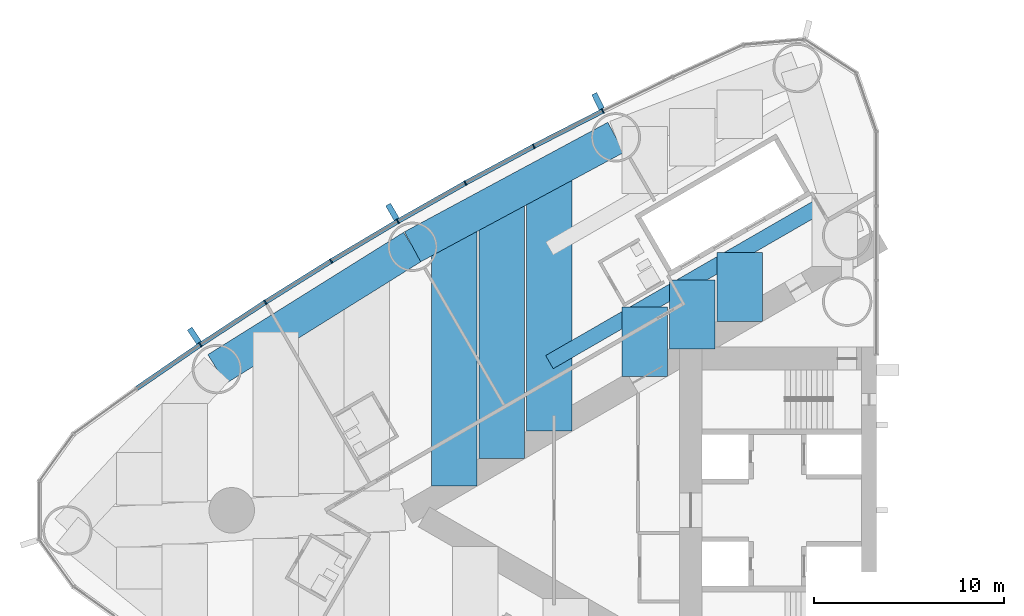
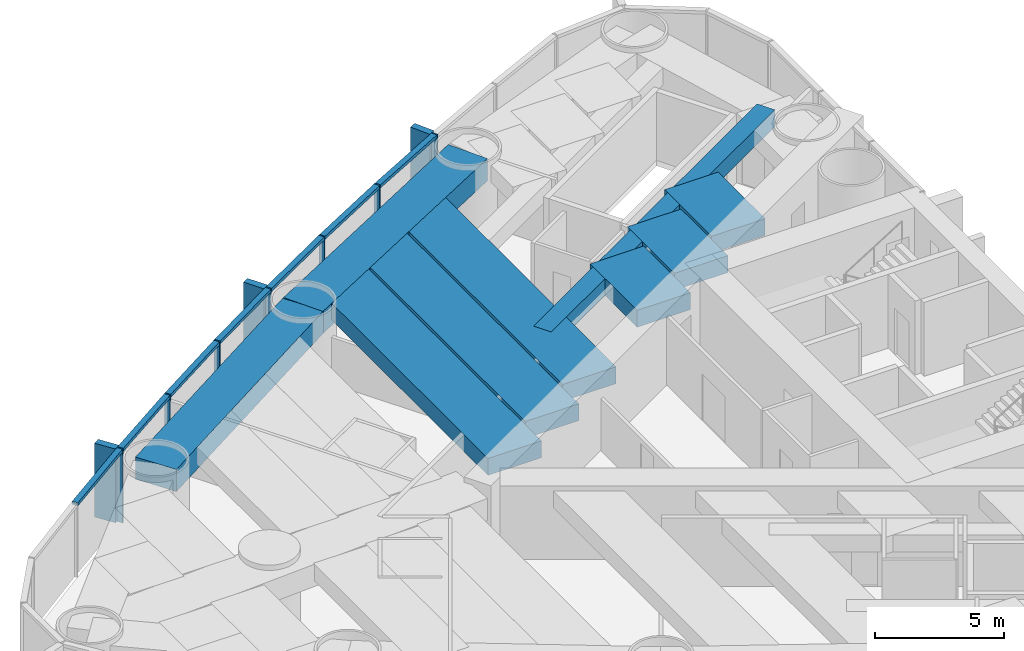
# One storey, part 4 of 19: 17 members, 9 beams, 1 element without a shape of its own.
"""IFC4 building model written with IfcOpenShell, lengths in metres."""

from ifc_helpers import new_model, si_unit, direction, frame, origin, origin_2d, place, context, subcontext, project, spatial, rectangle, hollow_rectangle, extrude, material, material_profile, profile_set, type_object, element, aggregate, save


model = new_model("IFC4")

# Units and contexts
model_context = context("Model", 3, precision=1e-05, world=origin(), true_north=direction((0.0, 1.0)))
body_context = subcontext(model_context, "Body", "Model", "MODEL_VIEW")
ifc_project = project(units=[si_unit("LENGTHUNIT", "METRE"), si_unit("AREAUNIT", "SQUARE_METRE"), si_unit("VOLUMEUNIT", "CUBIC_METRE"), si_unit("PLANEANGLEUNIT", "RADIAN"), si_unit("MASSUNIT", "GRAM", prefix="KILO")], contexts=[model_context])

# Site, building, storey
site_placement = place(None, origin())
site = spatial("IfcSite", under=ifc_project, at=site_placement, CompositionType="ELEMENT")
building_placement = place(site_placement, origin())
building = spatial("IfcBuilding", under=site, at=building_placement, Name="Lancet Gate Hotel", CompositionType="ELEMENT")
storey_placement = place(building_placement, frame((0.0, 0.0, 132.60009765625)))
storey = spatial("IfcBuildingStorey", under=building, at=storey_placement, Name="L35", CompositionType="ELEMENT", Elevation=132.60009765625)

# Curtain wall, members
ifc_material_1 = material(Name="Aluminium curtain wall", Category="aluminium")
curtain_wall_type = type_object("IfcCurtainWallType", Name="Tower unitised curtain wall", PredefinedType="USERDEFINED", material=ifc_material_1)
curtain_wall_placement = place(storey_placement, origin())
curtain_wall = element("IfcCurtainWall", 1, at=curtain_wall_placement, inside=storey, type_object=curtain_wall_type, Name="T1 L35 curtain wall 1", ObjectType="UNITISED CURTAIN WALL", PredefinedType="USERDEFINED")
ifc_material_2 = material(Name="Aluminium mullion", Category="aluminium")
ifc_material_profile_1 = material_profile(ifc_material_2, rectangle(XDim=0.06494140625, YDim=0.25, at=origin_2d()), Name="MULLION 65x250")
ifc_profile_set_1 = profile_set([ifc_material_profile_1], Name="Aluminium mullion")
member_type_1 = type_object("IfcMemberType", Name="Aluminium mullion 65x250", PredefinedType="MULLION", material=ifc_profile_set_1)
member_1_placement = place(storey_placement, frame((-41.935302734375, 21.053466796875, 0.0), z_axis=(0.0, 0.0, 1.0), x_axis=(-0.895339445458, -0.445384415317, 0.0)))
member_1 = element("IfcMember", 2, at=member_1_placement, type_object=member_type_1, Name="T1 L35 curtain wall 1 mullion 9", PredefinedType="MULLION", context=body_context, shape_type="SweptSolid", body=[
    extrude(rectangle(XDim=0.06494140625, YDim=0.25, at=origin_2d()), origin(), (0.0, 0.0, 1.0), 3.5),
])
member_2_placement = place(storey_placement, frame((-45.578857421875, 19.19189453125, 0.0), z_axis=(0.0, 0.0, 1.0), x_axis=(-0.885544335517, -0.46455487279, 0.0)))
member_2 = element("IfcMember", 3, at=member_2_placement, type_object=member_type_1, Name="T1 L35 curtain wall 1 mullion 10", PredefinedType="MULLION", context=body_context, shape_type="SweptSolid", body=[
    extrude(rectangle(XDim=0.06494140625, YDim=0.25, at=origin_2d()), origin(), (0.0, 0.0, 1.0), 3.5),
])
member_3_placement = place(storey_placement, frame((-49.181640625, 17.252197265625, 0.0), z_axis=(0.0, 0.0, 1.0), x_axis=(-0.875338819507, -0.48351003202, 0.0)))
member_3 = element("IfcMember", 4, at=member_3_placement, type_object=member_type_1, Name="T1 L35 curtain wall 1 mullion 11", PredefinedType="MULLION", context=body_context, shape_type="SweptSolid", body=[
    extrude(rectangle(XDim=0.06494140625, YDim=0.25, at=origin_2d()), origin(), (0.0, 0.0, 1.0), 3.5),
])
member_4_placement = place(storey_placement, frame((-52.74169921875, 15.2353515625, 0.0), z_axis=(0.0, 0.0, 1.0), x_axis=(-0.86472762718, -0.502241108226, 0.0)))
member_4 = element("IfcMember", 5, at=member_4_placement, type_object=member_type_1, Name="T1 L35 curtain wall 1 mullion 12", PredefinedType="MULLION", context=body_context, shape_type="SweptSolid", body=[
    extrude(rectangle(XDim=0.06494140625, YDim=0.25, at=origin_2d()), origin(), (0.0, 0.0, 1.0), 3.5),
])
member_5_placement = place(storey_placement, frame((-56.257568359375, 13.142333984375, 0.0), z_axis=(0.0, 0.0, 1.0), x_axis=(-0.853715676299, -0.52073942048, 0.0)))
member_5 = element("IfcMember", 6, at=member_5_placement, type_object=member_type_1, Name="T1 L35 curtain wall 1 mullion 13", PredefinedType="MULLION", context=body_context, shape_type="SweptSolid", body=[
    extrude(rectangle(XDim=0.06494140625, YDim=0.25, at=origin_2d()), origin(), (0.0, 0.0, 1.0), 3.5),
])
member_6_placement = place(storey_placement, frame((-59.7275390625, 10.974365234375, 0.0), z_axis=(0.0, 0.0, 1.0), x_axis=(-0.84230807036, -0.538996395727, 0.0)))
member_6 = element("IfcMember", 7, at=member_6_placement, type_object=member_type_1, Name="T1 L35 curtain wall 1 mullion 14", PredefinedType="MULLION", context=body_context, shape_type="SweptSolid", body=[
    extrude(rectangle(XDim=0.06494140625, YDim=0.25, at=origin_2d()), origin(), (0.0, 0.0, 1.0), 3.5),
])
member_7_placement = place(storey_placement, frame((-63.14990234375, 8.73193359375, 0.0), z_axis=(0.0, 0.0, 1.0), x_axis=(-0.830510096234, -0.557003572747, 0.0)))
member_7 = element("IfcMember", 8, at=member_7_placement, type_object=member_type_1, Name="T1 L35 curtain wall 1 mullion 15", PredefinedType="MULLION", context=body_context, shape_type="SweptSolid", body=[
    extrude(rectangle(XDim=0.06494140625, YDim=0.25, at=origin_2d()), origin(), (0.0, 0.0, 1.0), 3.5),
])
ifc_material_3 = material(Name="Aluminium transom", Category="aluminium")
ifc_material_profile_2 = material_profile(ifc_material_3, rectangle(XDim=0.25, YDim=0.14990234375, at=origin_2d()), Name="TRANSOM 250x150")
ifc_profile_set_2 = profile_set([ifc_material_profile_2], Name="Aluminium transom")
member_type_2 = type_object("IfcMemberType", Name="Aluminium transom 250x150", PredefinedType="USERDEFINED", material=ifc_profile_set_2)
member_8_placement = place(storey_placement, frame((-41.96435546875, 21.038818359375, 3.4248046875), z_axis=(-0.89047617483, -0.455029869415, 0.0), x_axis=(0.455029869415, -0.89047617483, 0.0)))
member_8 = element("IfcMember", 9, at=member_8_placement, type_object=member_type_2, Name="T1 L35 curtain wall 1 transom 9", ObjectType="TRANSOM", PredefinedType="USERDEFINED", context=body_context, shape_type="SweptSolid", body=[
    extrude(rectangle(XDim=0.25, YDim=0.14990234375, at=origin_2d()), origin(), (0.0, 0.0, 1.0), 4.026611328125),
])
member_9_placement = place(storey_placement, frame((-45.607421875, 19.176513671875, 3.4248046875), z_axis=(-0.880498353192, -0.474049206335, 0.0), x_axis=(0.474049206335, -0.880498353192, 0.0)))
member_9 = element("IfcMember", 10, at=member_9_placement, type_object=member_type_2, Name="T1 L35 curtain wall 1 transom 10", ObjectType="TRANSOM", PredefinedType="USERDEFINED", context=body_context, shape_type="SweptSolid", body=[
    extrude(rectangle(XDim=0.25, YDim=0.14990234375, at=origin_2d()), origin(), (0.0, 0.0, 1.0), 4.02685546875),
])
member_10_placement = place(storey_placement, frame((-49.2099609375, 17.236083984375, 3.4248046875), z_axis=(-0.870091531013, -0.492890178091, 0.0), x_axis=(0.492890178091, -0.870091531013, 0.0)))
member_10 = element("IfcMember", 11, at=member_10_placement, type_object=member_type_2, Name="T1 L35 curtain wall 1 transom 11", ObjectType="TRANSOM", PredefinedType="USERDEFINED", context=body_context, shape_type="SweptSolid", body=[
    extrude(rectangle(XDim=0.25, YDim=0.14990234375, at=origin_2d()), origin(), (0.0, 0.0, 1.0), 4.026611328125),
])
member_11_placement = place(storey_placement, frame((-52.76953125, 15.21875, 3.4248046875), z_axis=(-0.859285270342, -0.511496651186, 0.0), x_axis=(0.511496651186, -0.859285270342, 0.0)))
member_11 = element("IfcMember", 12, at=member_11_placement, type_object=member_type_2, Name="T1 L35 curtain wall 1 transom 12", ObjectType="TRANSOM", PredefinedType="USERDEFINED", context=body_context, shape_type="SweptSolid", body=[
    extrude(rectangle(XDim=0.25, YDim=0.14990234375, at=origin_2d()), origin(), (0.0, 0.0, 1.0), 4.026611328125),
])
member_12_placement = place(storey_placement, frame((-56.28515625, 13.125244140625, 3.4248046875), z_axis=(-0.848049393821, -0.529917187531, 0.0), x_axis=(0.529917187531, -0.848049393821, 0.0)))
member_12 = element("IfcMember", 13, at=member_12_placement, type_object=member_type_2, Name="T1 L35 curtain wall 1 transom 13", ObjectType="TRANSOM", PredefinedType="USERDEFINED", context=body_context, shape_type="SweptSolid", body=[
    extrude(rectangle(XDim=0.25, YDim=0.14990234375, at=origin_2d()), origin(), (0.0, 0.0, 1.0), 4.026611328125),
])
member_13_placement = place(storey_placement, frame((-59.754638671875, 10.95654296875, 3.4248046875), z_axis=(-0.83645442085, -0.548036496815, 0.0), x_axis=(0.548036496815, -0.83645442085, 0.0)))
member_13 = element("IfcMember", 14, at=member_13_placement, type_object=member_type_2, Name="T1 L35 curtain wall 1 transom 14", ObjectType="TRANSOM", PredefinedType="USERDEFINED", context=body_context, shape_type="SweptSolid", body=[
    extrude(rectangle(XDim=0.25, YDim=0.14990234375, at=origin_2d()), origin(), (0.0, 0.0, 1.0), 4.026611328125),
])
member_14_placement = place(storey_placement, frame((-63.1767578125, 8.713623046875, 3.4248046875), z_axis=(-0.824455665247, -0.565926546508, 0.0), x_axis=(0.565926546508, -0.824455665247, 0.0)))
member_14 = element("IfcMember", 15, at=member_14_placement, type_object=member_type_2, Name="T1 L35 curtain wall 1 transom 15", ObjectType="TRANSOM", PredefinedType="USERDEFINED", context=body_context, shape_type="SweptSolid", body=[
    extrude(rectangle(XDim=0.25, YDim=0.14990234375, at=origin_2d()), origin(), (0.0, 0.0, 1.0), 4.026611328125),
])

# Beams
ifc_material_4 = material(Name="Concrete C50/60", Category="concrete")
ifc_material_profile_3 = material_profile(ifc_material_4, rectangle(XDim=1.800048828125, YDim=1.050048828125, at=origin_2d()), Name="RC 1800x1050")
ifc_profile_set_3 = profile_set([ifc_material_profile_3], Name="Concrete C50/60")
beam_type_1 = type_object("IfcBeamType", Name="Edge beam RC 1800x1050", PredefinedType="SPANDREL", material=ifc_profile_set_3)
for number, where, z_axis, x_axis, name in (
    (16, (-41.244873046875, 19.665771484375, 2.724853515625), (-0.880492350889, -0.474060354835, 0.0), (0.474060354835, -0.880492350889, 0.0), "T1 edge beam EB1 L35"),
    (17, (-51.963134765625, 13.89501953125, 2.724853515625), (-0.848062521637, -0.529896177939, 0.0), (0.529896177939, -0.848062521637, 0.0), "T1 edge beam EB1 L35"),
):
    element("IfcBeam", number, at=place(storey_placement, frame(where, z_axis=z_axis, x_axis=x_axis)), inside=storey, type_object=beam_type_1, Name=name, PredefinedType="SPANDREL", context=body_context, shape_type="SweptSolid", body=[
        extrude(rectangle(XDim=1.800048828125, YDim=1.050048828125, at=origin_2d()), origin(), (0.0, 0.0, 1.0), 12.173095703125),
    ])

# Member
ifc_material_5 = material(Name="Precast concrete C50/60", Category="concrete")
ifc_material_profile_4 = material_profile(ifc_material_5, rectangle(XDim=0.300048828125, YDim=0.89990234375, at=origin_2d()), Name="FIN 300x900")
ifc_profile_set_4 = profile_set([ifc_material_profile_4], Name="Precast concrete C50/60")
member_type_3 = type_object("IfcMemberType", Name="Exposed concrete fin 300x900", PredefinedType="USERDEFINED", material=ifc_profile_set_4)
member_15_placement = place(storey_placement, frame((-42.19140625, 21.568359375, 0.0), z_axis=(0.0, 0.0, 1.0), x_axis=(-0.895339445458, -0.445384415317, 0.0)))
member_15 = element("IfcMember", 18, at=member_15_placement, type_object=member_type_3, Name="T1 L35 curtain wall 1 fin 9", ObjectType="FIN", PredefinedType="USERDEFINED", context=body_context, shape_type="SweptSolid", body=[
    extrude(rectangle(XDim=0.300048828125, YDim=0.89990234375, at=origin_2d()), origin(), (0.0, 0.0, 1.0), 3.5),
])

member_16_placement = place(storey_placement, frame((-53.030517578125, 15.732666015625, 0.0), z_axis=(0.0, 0.0, 1.0), x_axis=(-0.86472762718, -0.502241108226, 0.0)))
member_16 = element("IfcMember", 19, at=member_16_placement, type_object=member_type_3, Name="T1 L35 curtain wall 1 fin 12", ObjectType="FIN", PredefinedType="USERDEFINED", context=body_context, shape_type="SweptSolid", body=[
    extrude(rectangle(XDim=0.300048828125, YDim=0.89990234375, at=origin_2d()), origin(), (0.0, 0.0, 1.0), 3.5),
])

member_17_placement = place(storey_placement, frame((-63.47021484375, 9.20947265625, 0.0), z_axis=(0.0, 0.0, 1.0), x_axis=(-0.830510096234, -0.557003572747, 0.0)))
member_17 = element("IfcMember", 20, at=member_17_placement, type_object=member_type_3, Name="T1 L35 curtain wall 1 fin 15", ObjectType="FIN", PredefinedType="USERDEFINED", context=body_context, shape_type="SweptSolid", body=[
    extrude(rectangle(XDim=0.300048828125, YDim=0.89990234375, at=origin_2d()), origin(), (0.0, 0.0, 1.0), 3.5),
])

aggregate(curtain_wall, [member_1, member_15, member_2, member_3, member_4, member_16, member_5, member_6, member_7, member_17, member_8, member_9, member_10, member_11, member_12, member_13, member_14])

# Beams
ifc_material_6 = material(Name="Concrete C50/60", Category="concrete")
ifc_material_profile_5 = material_profile(ifc_material_6, rectangle(XDim=2.39990234375, YDim=0.800048828125, at=origin_2d()), Name="RC 2400x800")
ifc_profile_set_5 = profile_set([ifc_material_profile_5], Name="Concrete C50/60")
beam_type_2 = type_object("IfcBeamType", Name="Floor beam RC 2400x800", PredefinedType="BEAM", material=ifc_profile_set_5)
beam_1_placement = place(storey_placement, frame((-44.747802734375, 17.77978515625, 2.849853515625), z_axis=(0.0, -1.0, 0.0), x_axis=(1.0, 0.0, 0.0)))
element("IfcBeam", 21, at=beam_1_placement, inside=storey, type_object=beam_type_2, Name="T1 floor beam F09S L35", PredefinedType="BEAM", context=body_context, shape_type="SweptSolid", body=[
    extrude(rectangle(XDim=2.39990234375, YDim=0.800048828125, at=origin_2d()), origin(), (0.0, 0.0, 1.0), 13.611083984375),
])
beam_2_placement = place(storey_placement, frame((-47.254638671875, 16.43017578125, 2.849853515625), z_axis=(0.0, -1.0, 0.0), x_axis=(1.0, 0.0, 0.0)))
element("IfcBeam", 22, at=beam_2_placement, inside=storey, type_object=beam_type_2, Name="T1 floor beam F10S L35", PredefinedType="BEAM", context=body_context, shape_type="SweptSolid", body=[
    extrude(rectangle(XDim=2.39990234375, YDim=0.800048828125, at=origin_2d()), origin(), (0.0, 0.0, 1.0), 13.708740234375),
])
beam_3_placement = place(storey_placement, frame((-49.761474609375, 15.08056640625, 2.849853515625), z_axis=(0.0, -1.0, 0.0), x_axis=(1.0, 0.0, 0.0)))
element("IfcBeam", 23, at=beam_3_placement, inside=storey, type_object=beam_type_2, Name="T1 floor beam F12S L35", PredefinedType="BEAM", context=body_context, shape_type="SweptSolid", body=[
    extrude(rectangle(XDim=2.39990234375, YDim=0.800048828125, at=origin_2d()), origin(), (0.0, 0.0, 1.0), 13.806396484375),
])
beam_4_placement = place(storey_placement, frame((-34.720458984375, 13.603759765625, 2.849853515625), z_axis=(0.0, -1.0, 0.0), x_axis=(1.0, 0.0, 0.0)))
element("IfcBeam", 24, at=beam_4_placement, inside=storey, type_object=beam_type_2, Name="T1 floor beam F04SB L35", PredefinedType="BEAM", context=body_context, shape_type="SweptSolid", body=[
    extrude(rectangle(XDim=2.39990234375, YDim=0.800048828125, at=origin_2d()), origin(), (0.0, 0.0, 1.0), 3.645751953125),
])
beam_5_placement = place(storey_placement, frame((-37.227294921875, 12.15625, 2.849853515625), z_axis=(0.0, -1.0, 0.0), x_axis=(1.0, 0.0, 0.0)))
element("IfcBeam", 25, at=beam_5_placement, inside=storey, type_object=beam_type_2, Name="T1 floor beam F05SB L35", PredefinedType="BEAM", context=body_context, shape_type="SweptSolid", body=[
    extrude(rectangle(XDim=2.39990234375, YDim=0.800048828125, at=origin_2d()), origin(), (0.0, 0.0, 1.0), 3.6455078125),
])
beam_6_placement = place(storey_placement, frame((-39.734130859375, 10.708740234375, 2.849853515625), z_axis=(0.0, -1.0, 0.0), x_axis=(1.0, 0.0, 0.0)))
element("IfcBeam", 26, at=beam_6_placement, inside=storey, type_object=beam_type_2, Name="T1 floor beam F07SB L35", PredefinedType="BEAM", context=body_context, shape_type="SweptSolid", body=[
    extrude(rectangle(XDim=2.39990234375, YDim=0.800048828125, at=origin_2d()), origin(), (0.0, 0.0, 1.0), 3.645263671875),
])
ifc_material_7 = material(Name="Steel S460QL", Category="steel")
ifc_material_profile_6 = material_profile(ifc_material_7, hollow_rectangle(XDim=0.800048828125, YDim=0.800048828125, WallThickness=0.080078125, at=origin_2d()), Name="BOX 800x800x80")
ifc_profile_set_6 = profile_set([ifc_material_profile_6], Name="Steel S460QL")
beam_type_3 = type_object("IfcBeamType", Name="Trimmer beam BOX 800x800x80", PredefinedType="BEAM", material=ifc_profile_set_6)
beam_7_placement = place(storey_placement, frame((-29.706787109375, 16.49853515625, 2.849853515625), z_axis=(-0.866003462672, -0.500038001195, 0.0), x_axis=(0.500038001195, -0.866003462672, 0.0)))
element("IfcBeam", 27, at=beam_7_placement, inside=storey, type_object=beam_type_3, Name="T1 trimmer beam TR02S L35", PredefinedType="BEAM", context=body_context, shape_type="SweptSolid", body=[
    extrude(hollow_rectangle(XDim=0.800048828125, YDim=0.800048828125, WallThickness=0.080078125, at=origin_2d()), origin(), (0.0, 0.0, 1.0), 17.368408203125),
])

save(model, "model.ifc")
